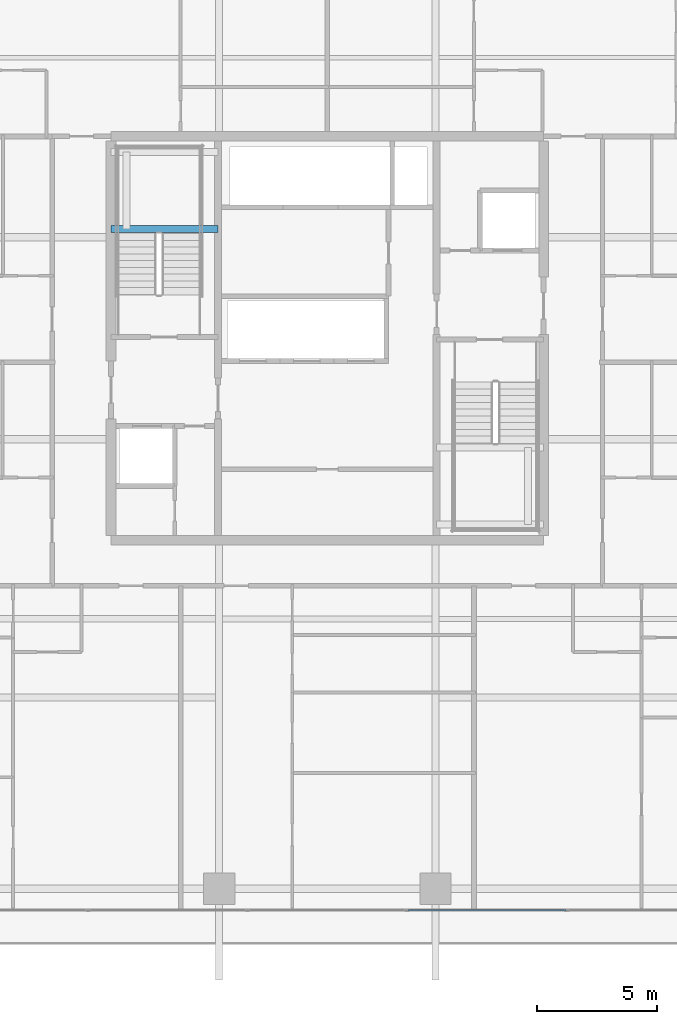
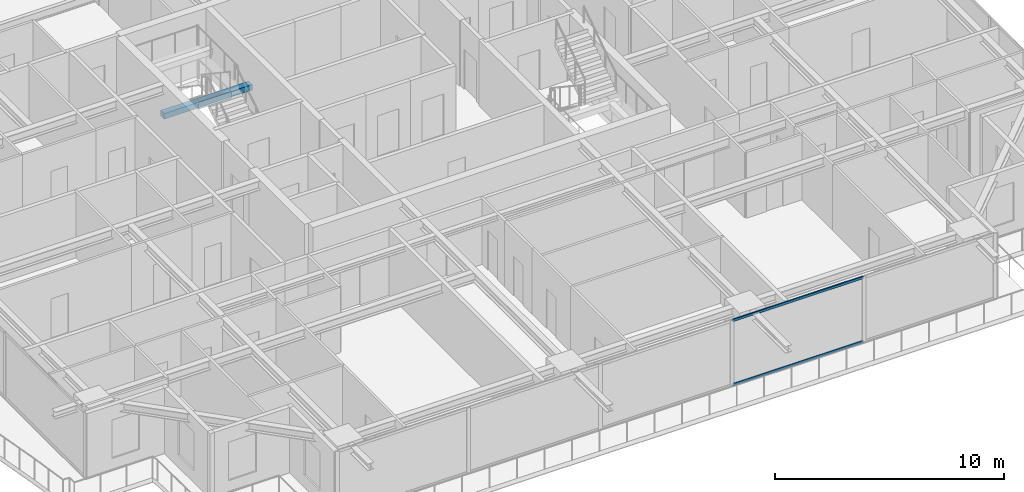
# One storey, part 11 of 37: 2 members, 1 beam, 1 element without a shape of its own.
"""IFC4 building model written with IfcOpenShell, lengths in metres."""

import ifcopenshell
import ifcopenshell.guid

model = None  # the IFC model being written
_history = None  # IfcOwnerHistory: only IFC2X3 demands one
_inside = {}  # id of a spatial element -> (the spatial element, [elements in it])
_under = {}  # id of a project, library or spatial element -> (it, [spatial elements below it])
_declared = {}  # id of a project -> (the project, [libraries it declares])
_typed = {}  # id of a type object -> (the type object, [elements of that type])
_made_of = {}  # id of a material, layer set ... -> (it, [elements and type objects made of it])


def new_model(schema):
    """Start an empty IFC model of exactly this schema.

    Asked for "IFC4X3", IfcOpenShell would pick the latest addendum, in which some entities
    have other attributes; the version numbers below select the first issue.
    IFC2X3 requires an IfcOwnerHistory on every rooted entity: one is made here for all.
    """
    global model, _history
    if schema == "IFC4X3":
        model = ifcopenshell.file(schema_version=(4, 3, 0, 0))
    else:
        model = ifcopenshell.file(schema=schema)
    _inside.clear()
    _under.clear()
    _declared.clear()
    _typed.clear()
    _made_of.clear()
    _history = None
    if model.schema == "IFC2X3":
        org = make("IfcOrganization", Name="unknown")
        user = make(
            "IfcPersonAndOrganization",
            ThePerson=make("IfcPerson", FamilyName="unknown"),
            TheOrganization=org,
        )
        app = make(
            "IfcApplication",
            ApplicationDeveloper=org,
            Version="unknown",
            ApplicationFullName="unknown",
            ApplicationIdentifier="unknown",
        )
        _history = make(
            "IfcOwnerHistory",
            OwningUser=user,
            OwningApplication=app,
            ChangeAction="ADDED",
            CreationDate=0,
        )
    return model


def make(cls, **values):
    """One entity of the class cls with the attributes given. An attribute that is None is left unset."""
    return model.create_entity(
        cls, **{name: value for name, value in values.items() if value is not None}
    )


def rooted(cls, **values):
    """An entity with a GlobalId (a new one), such as an element, a storey or a relation."""
    return make(cls, GlobalId=ifcopenshell.guid.new(), OwnerHistory=_history, **values)


def si_unit(unit_type, name, prefix=None):
    """IfcSIUnit, for example si_unit("LENGTHUNIT", "METRE", prefix="MILLI")."""
    return make("IfcSIUnit", UnitType=unit_type, Prefix=prefix, Name=name)


def assignment(units):
    """IfcUnitAssignment: the units of a project."""
    return None if units is None else make("IfcUnitAssignment", Units=units)


def point(xyz):
    """IfcCartesianPoint."""
    return None if xyz is None else make("IfcCartesianPoint", Coordinates=xyz)


def direction(xyz):
    """IfcDirection."""
    return None if xyz is None else make("IfcDirection", DirectionRatios=xyz)


def frame(location, z_axis=None, x_axis=None):
    """IfcAxis2Placement3D, a coordinate frame: its origin and axes. An axis left out is left unset."""
    return make(
        "IfcAxis2Placement3D",
        Location=point(location),
        Axis=direction(z_axis),
        RefDirection=direction(x_axis),
    )


def frame_2d(location, x_axis=None):
    """IfcAxis2Placement2D, a coordinate frame in the plane: its origin and x axis."""
    return make(
        "IfcAxis2Placement2D", Location=point(location), RefDirection=direction(x_axis)
    )


def origin():
    """The frame at (0, 0, 0) with its axes left unset."""
    return frame((0.0, 0.0, 0.0))


def origin_2d():
    """The frame at (0, 0) in the plane with its x axis left unset."""
    return frame_2d((0.0, 0.0))


def place(relative_to, where):
    """IfcLocalPlacement: puts the frame where relative to a parent placement (None: the world)."""
    return make(
        "IfcLocalPlacement", PlacementRelTo=relative_to, RelativePlacement=where
    )


def context(
    kind, dimensions, precision=None, world=None, true_north=None, identifier=None
):
    """IfcGeometricRepresentationContext, for example the 3D "Model" context."""
    return make(
        "IfcGeometricRepresentationContext",
        ContextIdentifier=identifier,
        ContextType=kind,
        CoordinateSpaceDimension=dimensions,
        Precision=precision,
        WorldCoordinateSystem=world,
        TrueNorth=true_north,
    )


def subcontext(parent, identifier, kind, view, scale=None):
    """IfcGeometricRepresentationSubContext, for example "Body" below "Model"."""
    return make(
        "IfcGeometricRepresentationSubContext",
        ContextIdentifier=identifier,
        ContextType=kind,
        ParentContext=parent,
        TargetScale=scale,
        TargetView=view,
    )


def project(units=None, contexts=None):
    """IfcProject with its units and contexts."""
    return rooted(
        "IfcProject",
        Name="project",
        RepresentationContexts=contexts,
        UnitsInContext=assignment(units),
    )


def spatial(cls, under=None, at=None, **own):
    """A site, building, storey or space (cls), placed at a placement, below another one or the project."""
    s = rooted(cls, ObjectPlacement=at, **own)
    if under is not None:
        _under.setdefault(under.id(), (under, []))[1].append(s)
    return s


def profile(cls, at=None, kind="AREA", **sizes):
    """A parametric profile (cls). Its sizes go by their IFC names, for example OverallWidth=200.0."""
    return make(cls, ProfileType=kind, Position=at, **sizes)


def rectangle(**sizes):
    """IfcRectangleProfileDef."""
    return profile("IfcRectangleProfileDef", **sizes)


def hollow_rectangle(**sizes):
    """IfcRectangleHollowProfileDef."""
    return profile("IfcRectangleHollowProfileDef", **sizes)


def extrude(swept, where, along, depth):
    """IfcExtrudedAreaSolid: the profile swept, set in the frame where, extruded along a direction by depth."""
    return make(
        "IfcExtrudedAreaSolid",
        SweptArea=swept,
        Position=where,
        ExtrudedDirection=direction(along),
        Depth=depth,
    )


def shape(context_of_items, identifier, shape_type, items):
    """IfcShapeRepresentation: the items that make up one representation, for example the "Body"."""
    return make(
        "IfcShapeRepresentation",
        ContextOfItems=context_of_items,
        RepresentationIdentifier=identifier,
        RepresentationType=shape_type,
        Items=items,
    )


def source(mapping_origin, context_of_items, identifier, shape_type, items):
    """IfcRepresentationMap: a shape defined once, which mapped items show again and again."""
    return make(
        "IfcRepresentationMap",
        MappingOrigin=mapping_origin,
        MappedRepresentation=shape(context_of_items, identifier, shape_type, items),
    )


def transform(
    local_origin,
    x_axis=None,
    y_axis=None,
    z_axis=None,
    scale=None,
    scale2=None,
    scale3=None,
    uniform=True,
):
    """IfcCartesianTransformationOperator3D, or its non-uniform kind. x_axis, y_axis, z_axis: its Axis1, 2, 3."""
    if uniform:
        return make(
            "IfcCartesianTransformationOperator3D",
            Axis1=direction(x_axis),
            Axis2=direction(y_axis),
            LocalOrigin=point(local_origin),
            Scale=scale,
            Axis3=direction(z_axis),
        )
    return make(
        "IfcCartesianTransformationOperator3DnonUniform",
        Axis1=direction(x_axis),
        Axis2=direction(y_axis),
        LocalOrigin=point(local_origin),
        Scale=scale,
        Axis3=direction(z_axis),
        Scale2=scale2,
        Scale3=scale3,
    )


def mapped(mapping_source, mapping_target):
    """IfcMappedItem: shows the shape of a source again, moved by a transform."""
    return make(
        "IfcMappedItem", MappingSource=mapping_source, MappingTarget=mapping_target
    )


def material(Name=None, Category=None):
    """IfcMaterial."""
    return make("IfcMaterial", Name=Name, Category=Category)


def layer(
    of_material, thickness, ventilated=None, Name=None, Category=None, Priority=None
):
    """IfcMaterialLayer: one layer of a wall or slab, of a material (None: an air gap)."""
    return make(
        "IfcMaterialLayer",
        Material=of_material,
        LayerThickness=thickness,
        IsVentilated=ventilated,
        Name=Name,
        Category=Category,
        Priority=Priority,
    )


def layer_set(layers, Name=None):
    """IfcMaterialLayerSet."""
    return make("IfcMaterialLayerSet", MaterialLayers=layers, LayerSetName=Name)


def material_profile(
    of_material, cross_section, Name=None, Category=None, Priority=None
):
    """IfcMaterialProfile: a cross section and its material."""
    return make(
        "IfcMaterialProfile",
        Name=Name,
        Material=of_material,
        Profile=cross_section,
        Priority=Priority,
        Category=Category,
    )


def profile_set(profiles, Name=None, composite=None):
    """IfcMaterialProfileSet."""
    return make(
        "IfcMaterialProfileSet",
        Name=Name,
        MaterialProfiles=profiles,
        CompositeProfile=composite,
    )


def made_of(thing, what):
    """Note that an element or type object is made of a material, layer set ...; save() writes the relation."""
    if what is not None:
        _made_of.setdefault(what.id(), (what, []))[1].append(thing)
    return thing


def type_object(cls, material=None, **own):
    """A type object (cls), such as IfcWallType, which elements share."""
    return made_of(rooted(cls, **own), material)


def element(
    cls,
    number,
    at=None,
    inside=None,
    cuts=None,
    type_object=None,
    material=None,
    context=None,
    identifier="Body",
    shape_type=None,
    held_by="IfcProductDefinitionShape",
    body=None,
    shapes=None,
    **own,
):
    """One element of the class cls, such as IfcWall. Its Tag is "e" and its number.

    at: its placement. inside: the storey or other place that contains it. cuts: it is an
    opening in that element (IfcRelVoidsElement). A single representation is given by context,
    identifier, shape_type and body (its items); several are given by shapes. held_by: the class
    of the entity that holds the representations. save() writes the other relations.
    """
    e = rooted(cls, Tag="e%d" % number, ObjectPlacement=at, **own)
    if body is not None:
        shapes = [shape(context, identifier, shape_type, body)]
    if shapes is not None:
        e.Representation = make(held_by, Representations=shapes)
    if inside is not None:
        _inside.setdefault(inside.id(), (inside, []))[1].append(e)
    if cuts is not None:
        rooted(
            "IfcRelVoidsElement", RelatingBuildingElement=cuts, RelatedOpeningElement=e
        )
    if type_object is not None:
        _typed.setdefault(type_object.id(), (type_object, []))[1].append(e)
    return made_of(e, material)


def aggregate(whole, parts):
    """IfcRelAggregates: a whole, such as a stair, and the parts it consists of."""
    return rooted("IfcRelAggregates", RelatingObject=whole, RelatedObjects=parts)


def save(model, path):
    """Write the relations noted so far, then the file.

    IfcRelAggregates (storeys below a building ...), IfcRelContainedInSpatialStructure (elements
    in a storey), IfcRelDefinesByType, IfcRelAssociatesMaterial and IfcRelDeclares: one each for
    every whole, place, type object, material and project.
    """
    for whole, parts in _under.values():
        aggregate(whole, parts)
    for where, things in _inside.values():
        rooted(
            "IfcRelContainedInSpatialStructure",
            RelatedElements=things,
            RelatingStructure=where,
        )
    for kind, things in _typed.values():
        rooted("IfcRelDefinesByType", RelatedObjects=things, RelatingType=kind)
    for what, things in _made_of.values():
        rooted("IfcRelAssociatesMaterial", RelatedObjects=things, RelatingMaterial=what)
    for by, libraries in _declared.values():
        rooted("IfcRelDeclares", RelatingContext=by, RelatedDefinitions=libraries)
    model.write(path)


model = new_model("IFC4")

# Units and contexts
model_context = context("Model", 3, precision=1e-05, world=origin(), true_north=direction((0.0, 1.0)))
body_context = subcontext(model_context, "Body", "Model", "MODEL_VIEW")
ifc_project = project(units=[si_unit("LENGTHUNIT", "METRE"), si_unit("AREAUNIT", "SQUARE_METRE"), si_unit("VOLUMEUNIT", "CUBIC_METRE"), si_unit("PLANEANGLEUNIT", "RADIAN"), si_unit("MASSUNIT", "GRAM", prefix="KILO")], contexts=[model_context])

# Site, building, storey
site_placement = place(None, origin())
site = spatial("IfcSite", under=ifc_project, at=site_placement, CompositionType="ELEMENT")
building_placement = place(site_placement, origin())
building = spatial("IfcBuilding", under=site, at=building_placement, Name="Serunith Strait Residences", CompositionType="ELEMENT")
storey_placement = place(building_placement, frame((0.0, 0.0, 127.64990234375)))
storey = spatial("IfcBuildingStorey", under=building, at=storey_placement, Name="L31", CompositionType="ELEMENT", Elevation=127.64990234375)

# Beam
ifc_material_1 = material(Name="Concrete C60/75", Category="concrete")
ifc_material_profile_1 = material_profile(ifc_material_1, rectangle(XDim=0.300048828125, YDim=0.300048828125, at=origin_2d()), Name="RC 300x300")
ifc_profile_set_1 = profile_set([ifc_material_profile_1], Name="Concrete C60/75")
beam_type = type_object("IfcBeamType", Name="BM-LAND-300x300", PredefinedType="BEAM", material=ifc_profile_set_1)
shared_shape_1 = source(origin(), body_context, "Body", "SweptSolid", [
    extrude(rectangle(XDim=0.300048828125, YDim=0.300048828125, at=origin_2d()), origin(), (0.0, 0.0, 1.0), 4.4501953125),
])
beam_placement = place(storey_placement, frame((23.39990234375, 29.75, 1.525146484375), z_axis=(1.0, 0.0, 0.0), x_axis=(0.0, 1.0, 0.0)))
element("IfcBeam", 1, at=beam_placement, inside=storey, type_object=beam_type, Name="L31 ST-1 Landing Support Beam 1", PredefinedType="BEAM", context=body_context, shape_type="MappedRepresentation", body=[
    mapped(shared_shape_1, transform((0.0, 0.0, 0.0), scale=1.0)),
])

# Curtain wall, members
ifc_material_2 = material(Name="Pale-Champagne Anodised Aluminium", Category="aluminium")
ifc_layer = layer(ifc_material_2, 0.199951171875, Name="Pale-Champagne Anodised Aluminium")
ifc_layer_set = layer_set([ifc_layer], Name="Pale-Champagne Anodised Aluminium")
curtain_wall_type = type_object("IfcCurtainWallType", Name="CW-SYS2", PredefinedType="NOTDEFINED", material=ifc_layer_set)
curtain_wall_placement = place(storey_placement, origin())
curtain_wall = element("IfcCurtainWall", 2, at=curtain_wall_placement, inside=storey, type_object=curtain_wall_type, Name="L31 S Unitised Fritted Curtain Wall", PredefinedType="NOTDEFINED")
ifc_material_profile_2 = material_profile(ifc_material_2, hollow_rectangle(XDim=0.06005859375, YDim=0.139892578125, WallThickness=0.00341796875, InnerFilletRadius=0.00537109375, OuterFilletRadius=0.0087890625, at=origin_2d()), Name="ALU 140x60x3.5")
ifc_profile_set_2 = profile_set([ifc_material_profile_2], Name="Pale-Champagne Anodised Aluminium")
member_type = type_object("IfcMemberType", Name="CW-SYS2-TRAN", PredefinedType="USERDEFINED", material=ifc_profile_set_2)
shared_shape_2 = source(origin(), body_context, "Body", "SweptSolid", [
    extrude(hollow_rectangle(XDim=0.06005859375, YDim=0.139892578125, WallThickness=0.00341796875, InnerFilletRadius=0.00537109375, OuterFilletRadius=0.0087890625, at=origin_2d()), origin(), (0.0, 0.0, 1.0), 6.570068359375),
])
member_1_placement = place(storey_placement, frame((35.7548828125, 1.39990234375, 0.030029296875), z_axis=(1.0, 0.0, 0.0), x_axis=(0.0, 1.0, 0.0)))
member_1 = element("IfcMember", 3, at=member_1_placement, type_object=member_type, Name="CW-2 transom 4.1", ObjectType="TRANSOM", PredefinedType="USERDEFINED", context=body_context, shape_type="MappedRepresentation", body=[
    mapped(shared_shape_2, transform((0.0, 0.0, 0.0), scale=1.0)),
])
member_2_placement = place(storey_placement, frame((35.7548828125, 1.39990234375, 3.445068359375), z_axis=(1.0, 0.0, 0.0), x_axis=(0.0, 1.0, 0.0)))
member_2 = element("IfcMember", 4, at=member_2_placement, type_object=member_type, Name="CW-2 transom 4.2", ObjectType="TRANSOM", PredefinedType="USERDEFINED", context=body_context, shape_type="MappedRepresentation", body=[
    mapped(shared_shape_2, transform((0.0, 0.0, 0.0), scale=1.0)),
])
aggregate(curtain_wall, [member_1, member_2])

save(model, "model.ifc")
